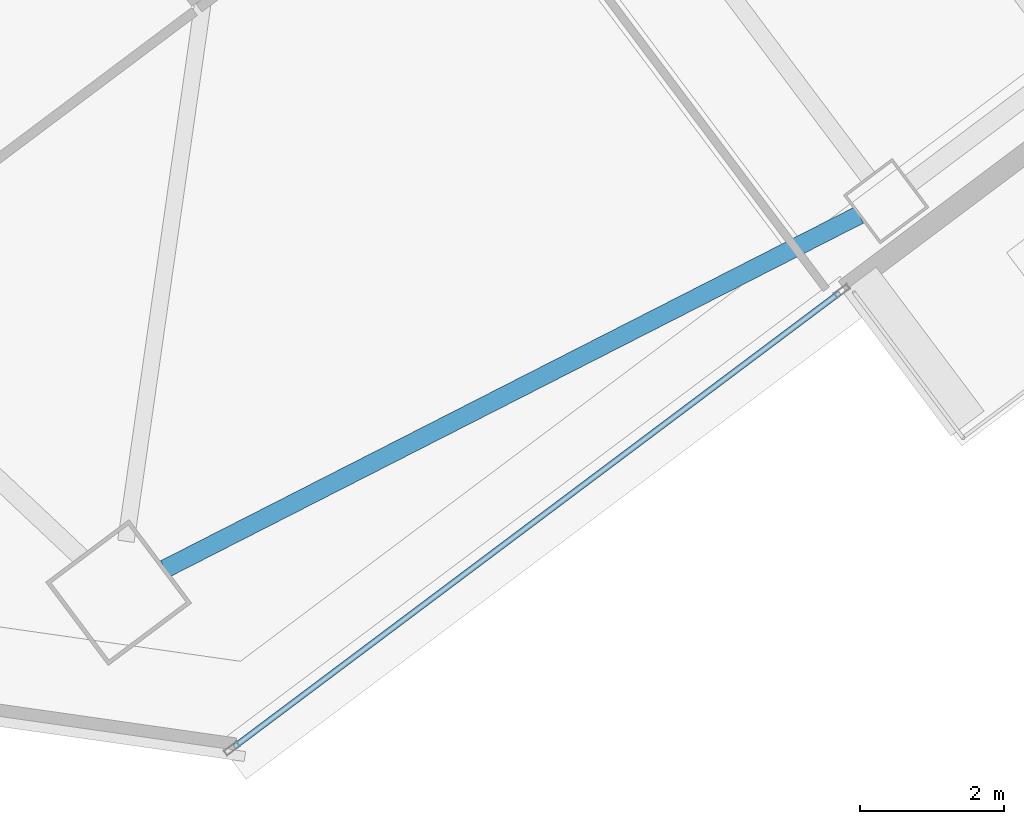
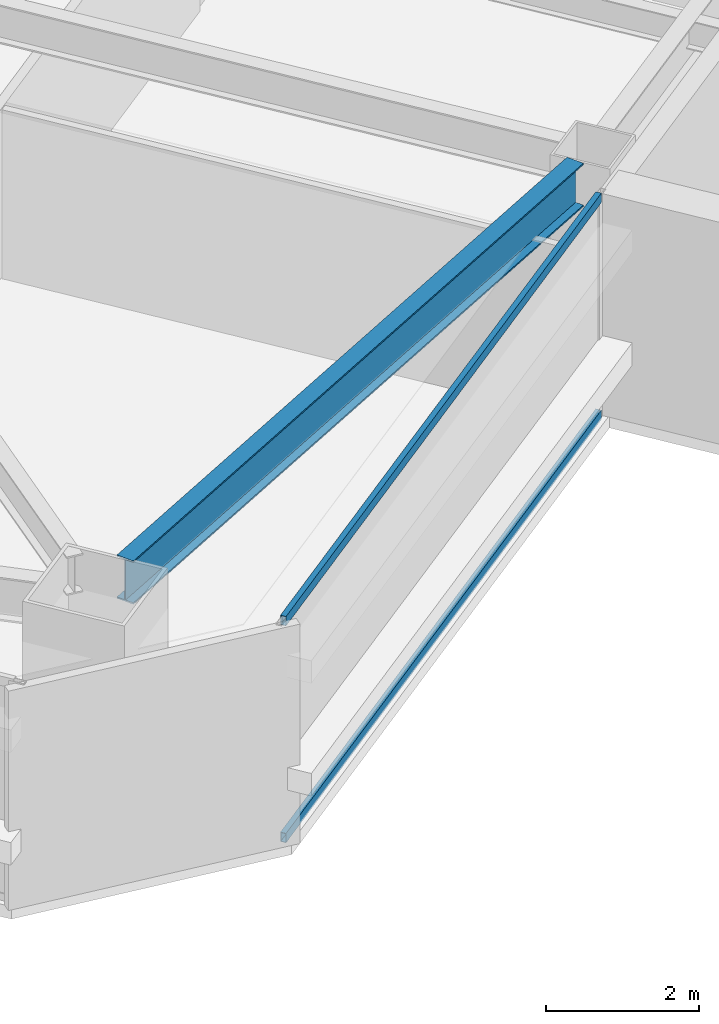
# One storey, part 18 of 44: 2 members, 1 beam, 1 element without a shape of its own.
"""IFC4 building model written with IfcOpenShell, lengths in metres."""

import ifcopenshell
import ifcopenshell.guid

model = None  # the IFC model being written
_history = None  # IfcOwnerHistory: only IFC2X3 demands one
_inside = {}  # id of a spatial element -> (the spatial element, [elements in it])
_under = {}  # id of a project, library or spatial element -> (it, [spatial elements below it])
_declared = {}  # id of a project -> (the project, [libraries it declares])
_typed = {}  # id of a type object -> (the type object, [elements of that type])
_made_of = {}  # id of a material, layer set ... -> (it, [elements and type objects made of it])


def new_model(schema):
    """Start an empty IFC model of exactly this schema.

    Asked for "IFC4X3", IfcOpenShell would pick the latest addendum, in which some entities
    have other attributes; the version numbers below select the first issue.
    IFC2X3 requires an IfcOwnerHistory on every rooted entity: one is made here for all.
    """
    global model, _history
    if schema == "IFC4X3":
        model = ifcopenshell.file(schema_version=(4, 3, 0, 0))
    else:
        model = ifcopenshell.file(schema=schema)
    _inside.clear()
    _under.clear()
    _declared.clear()
    _typed.clear()
    _made_of.clear()
    _history = None
    if model.schema == "IFC2X3":
        org = make("IfcOrganization", Name="unknown")
        user = make(
            "IfcPersonAndOrganization",
            ThePerson=make("IfcPerson", FamilyName="unknown"),
            TheOrganization=org,
        )
        app = make(
            "IfcApplication",
            ApplicationDeveloper=org,
            Version="unknown",
            ApplicationFullName="unknown",
            ApplicationIdentifier="unknown",
        )
        _history = make(
            "IfcOwnerHistory",
            OwningUser=user,
            OwningApplication=app,
            ChangeAction="ADDED",
            CreationDate=0,
        )
    return model


def make(cls, **values):
    """One entity of the class cls with the attributes given. An attribute that is None is left unset."""
    return model.create_entity(
        cls, **{name: value for name, value in values.items() if value is not None}
    )


def rooted(cls, **values):
    """An entity with a GlobalId (a new one), such as an element, a storey or a relation."""
    return make(cls, GlobalId=ifcopenshell.guid.new(), OwnerHistory=_history, **values)


def si_unit(unit_type, name, prefix=None):
    """IfcSIUnit, for example si_unit("LENGTHUNIT", "METRE", prefix="MILLI")."""
    return make("IfcSIUnit", UnitType=unit_type, Prefix=prefix, Name=name)


def assignment(units):
    """IfcUnitAssignment: the units of a project."""
    return None if units is None else make("IfcUnitAssignment", Units=units)


def point(xyz):
    """IfcCartesianPoint."""
    return None if xyz is None else make("IfcCartesianPoint", Coordinates=xyz)


def direction(xyz):
    """IfcDirection."""
    return None if xyz is None else make("IfcDirection", DirectionRatios=xyz)


def frame(location, z_axis=None, x_axis=None):
    """IfcAxis2Placement3D, a coordinate frame: its origin and axes. An axis left out is left unset."""
    return make(
        "IfcAxis2Placement3D",
        Location=point(location),
        Axis=direction(z_axis),
        RefDirection=direction(x_axis),
    )


def frame_2d(location, x_axis=None):
    """IfcAxis2Placement2D, a coordinate frame in the plane: its origin and x axis."""
    return make(
        "IfcAxis2Placement2D", Location=point(location), RefDirection=direction(x_axis)
    )


def origin():
    """The frame at (0, 0, 0) with its axes left unset."""
    return frame((0.0, 0.0, 0.0))


def origin_2d():
    """The frame at (0, 0) in the plane with its x axis left unset."""
    return frame_2d((0.0, 0.0))


def place(relative_to, where):
    """IfcLocalPlacement: puts the frame where relative to a parent placement (None: the world)."""
    return make(
        "IfcLocalPlacement", PlacementRelTo=relative_to, RelativePlacement=where
    )


def context(
    kind, dimensions, precision=None, world=None, true_north=None, identifier=None
):
    """IfcGeometricRepresentationContext, for example the 3D "Model" context."""
    return make(
        "IfcGeometricRepresentationContext",
        ContextIdentifier=identifier,
        ContextType=kind,
        CoordinateSpaceDimension=dimensions,
        Precision=precision,
        WorldCoordinateSystem=world,
        TrueNorth=true_north,
    )


def subcontext(parent, identifier, kind, view, scale=None):
    """IfcGeometricRepresentationSubContext, for example "Body" below "Model"."""
    return make(
        "IfcGeometricRepresentationSubContext",
        ContextIdentifier=identifier,
        ContextType=kind,
        ParentContext=parent,
        TargetScale=scale,
        TargetView=view,
    )


def project(units=None, contexts=None):
    """IfcProject with its units and contexts."""
    return rooted(
        "IfcProject",
        Name="project",
        RepresentationContexts=contexts,
        UnitsInContext=assignment(units),
    )


def spatial(cls, under=None, at=None, **own):
    """A site, building, storey or space (cls), placed at a placement, below another one or the project."""
    s = rooted(cls, ObjectPlacement=at, **own)
    if under is not None:
        _under.setdefault(under.id(), (under, []))[1].append(s)
    return s


def profile(cls, at=None, kind="AREA", **sizes):
    """A parametric profile (cls). Its sizes go by their IFC names, for example OverallWidth=200.0."""
    return make(cls, ProfileType=kind, Position=at, **sizes)


def hollow_rectangle(**sizes):
    """IfcRectangleHollowProfileDef."""
    return profile("IfcRectangleHollowProfileDef", **sizes)


def i_section(**sizes):
    """IfcIShapeProfileDef."""
    return profile("IfcIShapeProfileDef", **sizes)


def extrude(swept, where, along, depth):
    """IfcExtrudedAreaSolid: the profile swept, set in the frame where, extruded along a direction by depth."""
    return make(
        "IfcExtrudedAreaSolid",
        SweptArea=swept,
        Position=where,
        ExtrudedDirection=direction(along),
        Depth=depth,
    )


def shape(context_of_items, identifier, shape_type, items):
    """IfcShapeRepresentation: the items that make up one representation, for example the "Body"."""
    return make(
        "IfcShapeRepresentation",
        ContextOfItems=context_of_items,
        RepresentationIdentifier=identifier,
        RepresentationType=shape_type,
        Items=items,
    )


def material(Name=None, Category=None):
    """IfcMaterial."""
    return make("IfcMaterial", Name=Name, Category=Category)


def material_profile(
    of_material, cross_section, Name=None, Category=None, Priority=None
):
    """IfcMaterialProfile: a cross section and its material."""
    return make(
        "IfcMaterialProfile",
        Name=Name,
        Material=of_material,
        Profile=cross_section,
        Priority=Priority,
        Category=Category,
    )


def profile_set(profiles, Name=None, composite=None):
    """IfcMaterialProfileSet."""
    return make(
        "IfcMaterialProfileSet",
        Name=Name,
        MaterialProfiles=profiles,
        CompositeProfile=composite,
    )


def made_of(thing, what):
    """Note that an element or type object is made of a material, layer set ...; save() writes the relation."""
    if what is not None:
        _made_of.setdefault(what.id(), (what, []))[1].append(thing)
    return thing


def type_object(cls, material=None, **own):
    """A type object (cls), such as IfcWallType, which elements share."""
    return made_of(rooted(cls, **own), material)


def element(
    cls,
    number,
    at=None,
    inside=None,
    cuts=None,
    type_object=None,
    material=None,
    context=None,
    identifier="Body",
    shape_type=None,
    held_by="IfcProductDefinitionShape",
    body=None,
    shapes=None,
    **own,
):
    """One element of the class cls, such as IfcWall. Its Tag is "e" and its number.

    at: its placement. inside: the storey or other place that contains it. cuts: it is an
    opening in that element (IfcRelVoidsElement). A single representation is given by context,
    identifier, shape_type and body (its items); several are given by shapes. held_by: the class
    of the entity that holds the representations. save() writes the other relations.
    """
    e = rooted(cls, Tag="e%d" % number, ObjectPlacement=at, **own)
    if body is not None:
        shapes = [shape(context, identifier, shape_type, body)]
    if shapes is not None:
        e.Representation = make(held_by, Representations=shapes)
    if inside is not None:
        _inside.setdefault(inside.id(), (inside, []))[1].append(e)
    if cuts is not None:
        rooted(
            "IfcRelVoidsElement", RelatingBuildingElement=cuts, RelatedOpeningElement=e
        )
    if type_object is not None:
        _typed.setdefault(type_object.id(), (type_object, []))[1].append(e)
    return made_of(e, material)


def aggregate(whole, parts):
    """IfcRelAggregates: a whole, such as a stair, and the parts it consists of."""
    return rooted("IfcRelAggregates", RelatingObject=whole, RelatedObjects=parts)


def save(model, path):
    """Write the relations noted so far, then the file.

    IfcRelAggregates (storeys below a building ...), IfcRelContainedInSpatialStructure (elements
    in a storey), IfcRelDefinesByType, IfcRelAssociatesMaterial and IfcRelDeclares: one each for
    every whole, place, type object, material and project.
    """
    for whole, parts in _under.values():
        aggregate(whole, parts)
    for where, things in _inside.values():
        rooted(
            "IfcRelContainedInSpatialStructure",
            RelatedElements=things,
            RelatingStructure=where,
        )
    for kind, things in _typed.values():
        rooted("IfcRelDefinesByType", RelatedObjects=things, RelatingType=kind)
    for what, things in _made_of.values():
        rooted("IfcRelAssociatesMaterial", RelatedObjects=things, RelatingMaterial=what)
    for by, libraries in _declared.values():
        rooted("IfcRelDeclares", RelatingContext=by, RelatedDefinitions=libraries)
    model.write(path)


model = new_model("IFC4")

# Units and contexts
model_context = context("Model", 3, precision=1e-05, world=origin(), true_north=direction((0.0, 1.0)))
body_context = subcontext(model_context, "Body", "Model", "MODEL_VIEW")
ifc_project = project(units=[si_unit("LENGTHUNIT", "METRE"), si_unit("AREAUNIT", "SQUARE_METRE"), si_unit("VOLUMEUNIT", "CUBIC_METRE"), si_unit("PLANEANGLEUNIT", "RADIAN"), si_unit("MASSUNIT", "GRAM", prefix="KILO")], contexts=[model_context])

# Site, building, storey
site_placement = place(None, origin())
site = spatial("IfcSite", under=ifc_project, at=site_placement, CompositionType="ELEMENT")
building_placement = place(site_placement, origin())
building = spatial("IfcBuilding", under=site, at=building_placement, Name="Tashvorn Skyway Center", CompositionType="ELEMENT")
storey_placement = place(building_placement, frame((0.0, 0.0, 102.699951171875)))
storey = spatial("IfcBuildingStorey", under=building, at=storey_placement, Name="L27", CompositionType="ELEMENT", Elevation=102.699951171875)

# Beam
ifc_material_1 = material(Name="Steel ASTM A992 Grade 50", Category="steel")
ifc_material_profile_1 = material_profile(ifc_material_1, i_section(OverallWidth=0.256103515625, OverallDepth=0.693115234375, WebThickness=0.014404296875, FlangeThickness=0.023681640625, at=origin_2d()), Name="W27X114")
ifc_profile_set_1 = profile_set([ifc_material_profile_1], Name="Steel ASTM A992 Grade 50")
beam_type = type_object("IfcBeamType", Name="BM-SPANDREL-W27X114", PredefinedType="SPANDREL", material=ifc_profile_set_1)
beam_placement = place(storey_placement, frame((111.201416015625, 8.2470703125, 3.003662109375), z_axis=(0.890894170442, 0.454210938961, 0.0), x_axis=(-0.454210938961, 0.890894170442, 0.0)))
element("IfcBeam", 1, at=beam_placement, inside=storey, type_object=beam_type, Name="Tower 2 L27 Spandrel Beam 01", PredefinedType="SPANDREL", context=body_context, shape_type="SweptSolid", body=[
    extrude(i_section(OverallWidth=0.256103515625, OverallDepth=0.693115234375, WebThickness=0.014404296875, FlangeThickness=0.023681640625, at=origin_2d()), origin(), (0.0, 0.0, 1.0), 10.836669921875),
])

# Curtain wall, members
ifc_material_2 = material(Name="Thermally broken bronze-anodized aluminium 6063-T6", Category="aluminium")
curtain_wall_type = type_object("IfcCurtainWallType", Name="CW-CW-Z2", PredefinedType="NOTDEFINED", material=ifc_material_2)
curtain_wall_placement = place(storey_placement, origin())
curtain_wall = element("IfcCurtainWall", 2, at=curtain_wall_placement, inside=storey, type_object=curtain_wall_type, Name="Tower 2 L27 South Curtain Wall R", PredefinedType="NOTDEFINED")
ifc_material_profile_2 = material_profile(ifc_material_2, hollow_rectangle(XDim=0.080078125, YDim=0.14990234375, WallThickness=0.00439453125, at=origin_2d()), Name="ALU-TRAN-80x150")
ifc_profile_set_2 = profile_set([ifc_material_profile_2], Name="Thermally broken bronze-anodized aluminium 6063-T6")
member_type = type_object("IfcMemberType", Name="CWT-CW-Z2", PredefinedType="USERDEFINED", material=ifc_profile_set_2)
member_1_placement = place(storey_placement, frame((120.583984375, 12.087890625, 0.0400390625), z_axis=(-0.8, -0.6, 0.0), x_axis=(0.6, -0.8, 0.0)))
member_1 = element("IfcMember", 3, at=member_1_placement, type_object=member_type, Name="CW-Z2 transom 1.1", ObjectType="TRANSOM", PredefinedType="USERDEFINED", context=body_context, shape_type="SweptSolid", body=[
    extrude(hollow_rectangle(XDim=0.080078125, YDim=0.14990234375, WallThickness=0.00439453125, at=origin_2d()), origin(), (0.0, 0.0, 1.0), 10.52001953125),
])
member_2_placement = place(storey_placement, frame((120.583984375, 12.087890625, 3.510009765625), z_axis=(-0.8, -0.6, 0.0), x_axis=(0.6, -0.8, 0.0)))
member_2 = element("IfcMember", 4, at=member_2_placement, type_object=member_type, Name="CW-Z2 transom 1.2", ObjectType="TRANSOM", PredefinedType="USERDEFINED", context=body_context, shape_type="SweptSolid", body=[
    extrude(hollow_rectangle(XDim=0.080078125, YDim=0.14990234375, WallThickness=0.00439453125, at=origin_2d()), origin(), (0.0, 0.0, 1.0), 10.52001953125),
])
aggregate(curtain_wall, [member_1, member_2])

save(model, "model.ifc")
